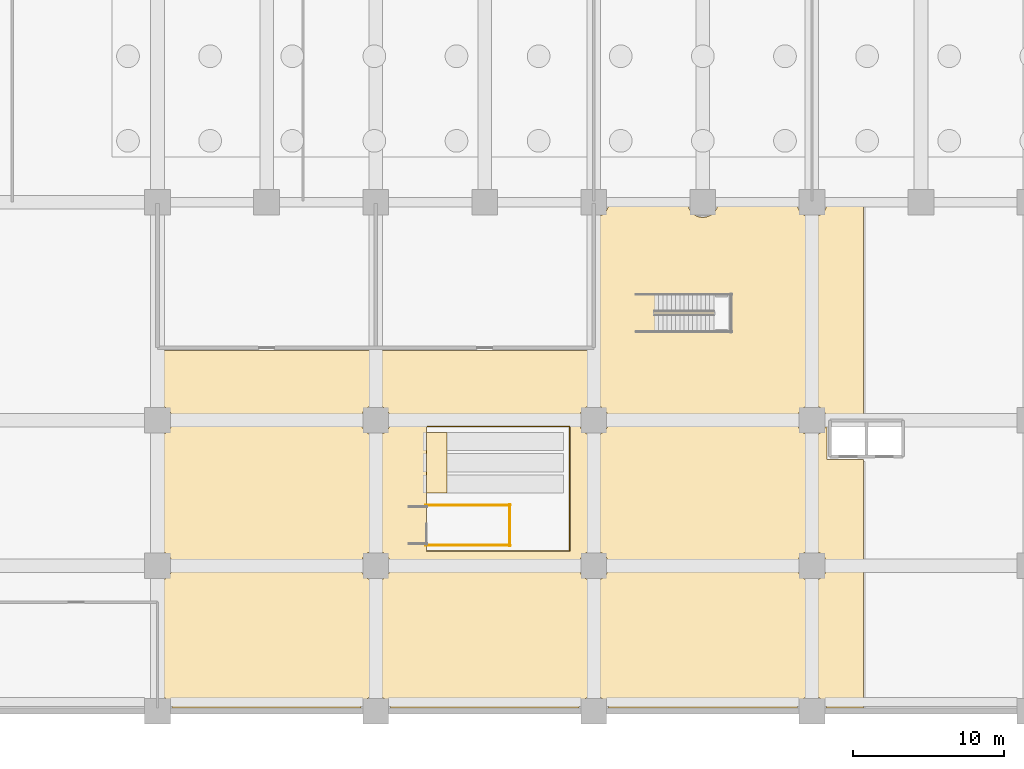
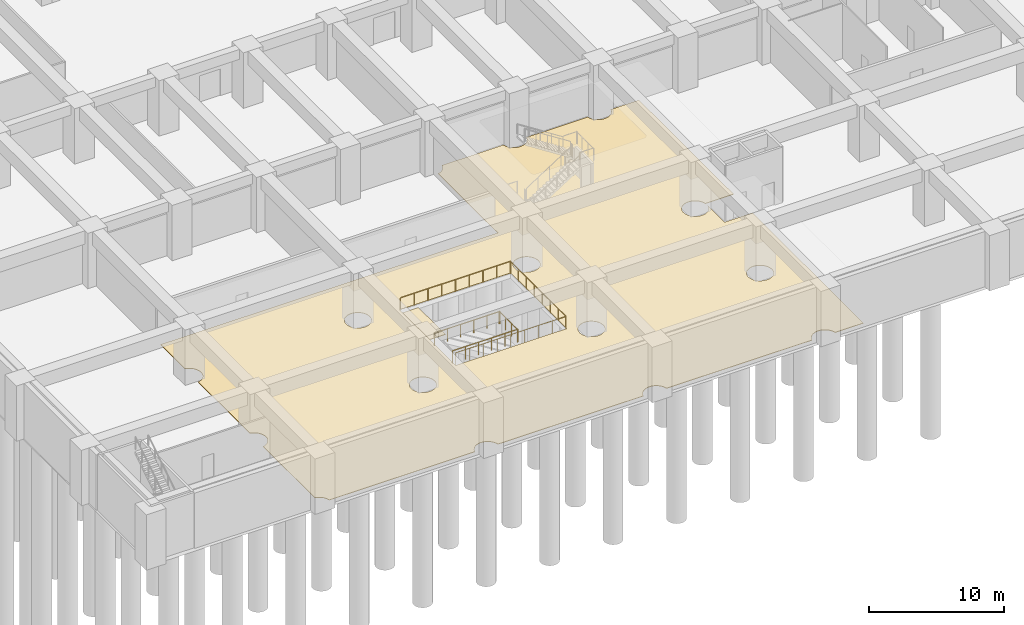
# One storey, part 12 of 20: 4 railings, 2 coverings.
"""IFC4 building model written with IfcOpenShell, lengths in metres."""

import ifcopenshell
import ifcopenshell.guid

model = None  # the IFC model being written
_history = None  # IfcOwnerHistory: only IFC2X3 demands one
_inside = {}  # id of a spatial element -> (the spatial element, [elements in it])
_under = {}  # id of a project, library or spatial element -> (it, [spatial elements below it])
_declared = {}  # id of a project -> (the project, [libraries it declares])
_typed = {}  # id of a type object -> (the type object, [elements of that type])
_made_of = {}  # id of a material, layer set ... -> (it, [elements and type objects made of it])


def new_model(schema):
    """Start an empty IFC model of exactly this schema.

    Asked for "IFC4X3", IfcOpenShell would pick the latest addendum, in which some entities
    have other attributes; the version numbers below select the first issue.
    IFC2X3 requires an IfcOwnerHistory on every rooted entity: one is made here for all.
    """
    global model, _history
    if schema == "IFC4X3":
        model = ifcopenshell.file(schema_version=(4, 3, 0, 0))
    else:
        model = ifcopenshell.file(schema=schema)
    _inside.clear()
    _under.clear()
    _declared.clear()
    _typed.clear()
    _made_of.clear()
    _history = None
    if model.schema == "IFC2X3":
        org = make("IfcOrganization", Name="unknown")
        user = make(
            "IfcPersonAndOrganization",
            ThePerson=make("IfcPerson", FamilyName="unknown"),
            TheOrganization=org,
        )
        app = make(
            "IfcApplication",
            ApplicationDeveloper=org,
            Version="unknown",
            ApplicationFullName="unknown",
            ApplicationIdentifier="unknown",
        )
        _history = make(
            "IfcOwnerHistory",
            OwningUser=user,
            OwningApplication=app,
            ChangeAction="ADDED",
            CreationDate=0,
        )
    return model


def make(cls, **values):
    """One entity of the class cls with the attributes given. An attribute that is None is left unset."""
    return model.create_entity(
        cls, **{name: value for name, value in values.items() if value is not None}
    )


def rooted(cls, **values):
    """An entity with a GlobalId (a new one), such as an element, a storey or a relation."""
    return make(cls, GlobalId=ifcopenshell.guid.new(), OwnerHistory=_history, **values)


def si_unit(unit_type, name, prefix=None):
    """IfcSIUnit, for example si_unit("LENGTHUNIT", "METRE", prefix="MILLI")."""
    return make("IfcSIUnit", UnitType=unit_type, Prefix=prefix, Name=name)


def assignment(units):
    """IfcUnitAssignment: the units of a project."""
    return None if units is None else make("IfcUnitAssignment", Units=units)


def point(xyz):
    """IfcCartesianPoint."""
    return None if xyz is None else make("IfcCartesianPoint", Coordinates=xyz)


def direction(xyz):
    """IfcDirection."""
    return None if xyz is None else make("IfcDirection", DirectionRatios=xyz)


def frame(location, z_axis=None, x_axis=None):
    """IfcAxis2Placement3D, a coordinate frame: its origin and axes. An axis left out is left unset."""
    return make(
        "IfcAxis2Placement3D",
        Location=point(location),
        Axis=direction(z_axis),
        RefDirection=direction(x_axis),
    )


def frame_2d(location, x_axis=None):
    """IfcAxis2Placement2D, a coordinate frame in the plane: its origin and x axis."""
    return make(
        "IfcAxis2Placement2D", Location=point(location), RefDirection=direction(x_axis)
    )


def origin():
    """The frame at (0, 0, 0) with its axes left unset."""
    return frame((0.0, 0.0, 0.0))


def origin_2d():
    """The frame at (0, 0) in the plane with its x axis left unset."""
    return frame_2d((0.0, 0.0))


def place(relative_to, where):
    """IfcLocalPlacement: puts the frame where relative to a parent placement (None: the world)."""
    return make(
        "IfcLocalPlacement", PlacementRelTo=relative_to, RelativePlacement=where
    )


def context(
    kind, dimensions, precision=None, world=None, true_north=None, identifier=None
):
    """IfcGeometricRepresentationContext, for example the 3D "Model" context."""
    return make(
        "IfcGeometricRepresentationContext",
        ContextIdentifier=identifier,
        ContextType=kind,
        CoordinateSpaceDimension=dimensions,
        Precision=precision,
        WorldCoordinateSystem=world,
        TrueNorth=true_north,
    )


def subcontext(parent, identifier, kind, view, scale=None):
    """IfcGeometricRepresentationSubContext, for example "Body" below "Model"."""
    return make(
        "IfcGeometricRepresentationSubContext",
        ContextIdentifier=identifier,
        ContextType=kind,
        ParentContext=parent,
        TargetScale=scale,
        TargetView=view,
    )


def project(units=None, contexts=None):
    """IfcProject with its units and contexts."""
    return rooted(
        "IfcProject",
        Name="project",
        RepresentationContexts=contexts,
        UnitsInContext=assignment(units),
    )


def spatial(cls, under=None, at=None, **own):
    """A site, building, storey or space (cls), placed at a placement, below another one or the project."""
    s = rooted(cls, ObjectPlacement=at, **own)
    if under is not None:
        _under.setdefault(under.id(), (under, []))[1].append(s)
    return s


def polyline(points):
    """IfcPolyline through the points."""
    return make("IfcPolyline", Points=[point(p) for p in points])


def profile(cls, at=None, kind="AREA", **sizes):
    """A parametric profile (cls). Its sizes go by their IFC names, for example OverallWidth=200.0."""
    return make(cls, ProfileType=kind, Position=at, **sizes)


def circle(**sizes):
    """IfcCircleProfileDef."""
    return profile("IfcCircleProfileDef", **sizes)


def outline(outer, holes=None, kind="AREA"):
    """IfcArbitraryClosedProfileDef: a profile drawn as a closed curve; with holes, ...WithVoids."""
    if holes is None:
        return make("IfcArbitraryClosedProfileDef", ProfileType=kind, OuterCurve=outer)
    return make(
        "IfcArbitraryProfileDefWithVoids",
        ProfileType=kind,
        OuterCurve=outer,
        InnerCurves=holes,
    )


def extrude(swept, where, along, depth):
    """IfcExtrudedAreaSolid: the profile swept, set in the frame where, extruded along a direction by depth."""
    return make(
        "IfcExtrudedAreaSolid",
        SweptArea=swept,
        Position=where,
        ExtrudedDirection=direction(along),
        Depth=depth,
    )


def shape(context_of_items, identifier, shape_type, items):
    """IfcShapeRepresentation: the items that make up one representation, for example the "Body"."""
    return make(
        "IfcShapeRepresentation",
        ContextOfItems=context_of_items,
        RepresentationIdentifier=identifier,
        RepresentationType=shape_type,
        Items=items,
    )


def material(Name=None, Category=None):
    """IfcMaterial."""
    return make("IfcMaterial", Name=Name, Category=Category)


def layer(
    of_material, thickness, ventilated=None, Name=None, Category=None, Priority=None
):
    """IfcMaterialLayer: one layer of a wall or slab, of a material (None: an air gap)."""
    return make(
        "IfcMaterialLayer",
        Material=of_material,
        LayerThickness=thickness,
        IsVentilated=ventilated,
        Name=Name,
        Category=Category,
        Priority=Priority,
    )


def layer_set(layers, Name=None):
    """IfcMaterialLayerSet."""
    return make("IfcMaterialLayerSet", MaterialLayers=layers, LayerSetName=Name)


def made_of(thing, what):
    """Note that an element or type object is made of a material, layer set ...; save() writes the relation."""
    if what is not None:
        _made_of.setdefault(what.id(), (what, []))[1].append(thing)
    return thing


def type_object(cls, material=None, **own):
    """A type object (cls), such as IfcWallType, which elements share."""
    return made_of(rooted(cls, **own), material)


def element(
    cls,
    number,
    at=None,
    inside=None,
    cuts=None,
    type_object=None,
    material=None,
    context=None,
    identifier="Body",
    shape_type=None,
    held_by="IfcProductDefinitionShape",
    body=None,
    shapes=None,
    **own,
):
    """One element of the class cls, such as IfcWall. Its Tag is "e" and its number.

    at: its placement. inside: the storey or other place that contains it. cuts: it is an
    opening in that element (IfcRelVoidsElement). A single representation is given by context,
    identifier, shape_type and body (its items); several are given by shapes. held_by: the class
    of the entity that holds the representations. save() writes the other relations.
    """
    e = rooted(cls, Tag="e%d" % number, ObjectPlacement=at, **own)
    if body is not None:
        shapes = [shape(context, identifier, shape_type, body)]
    if shapes is not None:
        e.Representation = make(held_by, Representations=shapes)
    if inside is not None:
        _inside.setdefault(inside.id(), (inside, []))[1].append(e)
    if cuts is not None:
        rooted(
            "IfcRelVoidsElement", RelatingBuildingElement=cuts, RelatedOpeningElement=e
        )
    if type_object is not None:
        _typed.setdefault(type_object.id(), (type_object, []))[1].append(e)
    return made_of(e, material)


def aggregate(whole, parts):
    """IfcRelAggregates: a whole, such as a stair, and the parts it consists of."""
    return rooted("IfcRelAggregates", RelatingObject=whole, RelatedObjects=parts)


def save(model, path):
    """Write the relations noted so far, then the file.

    IfcRelAggregates (storeys below a building ...), IfcRelContainedInSpatialStructure (elements
    in a storey), IfcRelDefinesByType, IfcRelAssociatesMaterial and IfcRelDeclares: one each for
    every whole, place, type object, material and project.
    """
    for whole, parts in _under.values():
        aggregate(whole, parts)
    for where, things in _inside.values():
        rooted(
            "IfcRelContainedInSpatialStructure",
            RelatedElements=things,
            RelatingStructure=where,
        )
    for kind, things in _typed.values():
        rooted("IfcRelDefinesByType", RelatedObjects=things, RelatingType=kind)
    for what, things in _made_of.values():
        rooted("IfcRelAssociatesMaterial", RelatedObjects=things, RelatingMaterial=what)
    for by, libraries in _declared.values():
        rooted("IfcRelDeclares", RelatingContext=by, RelatedDefinitions=libraries)
    model.write(path)


model = new_model("IFC4")

# Units and contexts
model_context = context("Model", 3, precision=1e-05, world=origin(), true_north=direction((0.0, 1.0)))
body_context = subcontext(model_context, "Body", "Model", "MODEL_VIEW")
ifc_project = project(units=[si_unit("LENGTHUNIT", "METRE"), si_unit("AREAUNIT", "SQUARE_METRE"), si_unit("VOLUMEUNIT", "CUBIC_METRE"), si_unit("PLANEANGLEUNIT", "RADIAN"), si_unit("MASSUNIT", "GRAM", prefix="KILO")], contexts=[model_context])

# Site, building, storey
site_placement = place(None, origin())
site = spatial("IfcSite", under=ifc_project, at=site_placement, CompositionType="ELEMENT")
building_placement = place(site_placement, origin())
building = spatial("IfcBuilding", under=site, at=building_placement, Name="Saffron Iwan Residences", CompositionType="ELEMENT")
storey_placement = place(building_placement, frame((0.0, 0.0, -5.39990234375)))
storey = spatial("IfcBuildingStorey", under=building, at=storey_placement, Name="B1", CompositionType="ELEMENT", Elevation=-5.39990234375)

# Railings
ifc_material_1 = material(Name="Steel S355", Category="steel")
railing_type_1 = type_object("IfcRailingType", Name="Podium guard 1150", PredefinedType="GUARDRAIL", material=ifc_material_1)
railing_1_placement = place(storey_placement, frame((32.199951171875, 10.60009765625, 0.0)))
element("IfcRailing", 1, at=railing_1_placement, inside=storey, type_object=railing_type_1, Name="B1 guard 1", PredefinedType="GUARDRAIL", context=body_context, shape_type="SweptSolid", body=[
    extrude(circle(Radius=0.02392578125, at=origin_2d()), frame((0.0, 0.0, 1.1259765625), z_axis=(1.0, 0.0, 0.0), x_axis=(0.0, 1.0, 0.0)), (0.0, 0.0, 1.0), 9.400146484375),
    extrude(circle(Radius=0.02392578125, at=origin_2d()), frame((9.400146484375, 0.0, 1.1259765625), z_axis=(0.0, 1.0, 0.0), x_axis=(-1.0, 0.0, 0.0)), (0.0, 0.0, 1.0), 8.199951171875),
    extrude(circle(Radius=0.02392578125, at=origin_2d()), frame((9.400146484375, 8.199951171875, 1.1259765625), z_axis=(-1.0, 0.0, 0.0), x_axis=(0.0, -1.0, 0.0)), (0.0, 0.0, 1.0), 9.400146484375),
    extrude(circle(Radius=0.02099609375, at=origin_2d()), origin(), (0.0, 0.0, 1.0), 1.101806640625),
    extrude(circle(Radius=0.02099609375, at=origin_2d()), frame((1.175048828125, 0.0, 0.0)), (0.0, 0.0, 1.0), 1.101806640625),
    extrude(circle(Radius=0.02099609375, at=origin_2d()), frame((2.35009765625, 0.0, 0.0)), (0.0, 0.0, 1.0), 1.101806640625),
    extrude(circle(Radius=0.02099609375, at=origin_2d()), frame((3.525146484375, 0.0, 0.0)), (0.0, 0.0, 1.0), 1.101806640625),
    extrude(circle(Radius=0.02099609375, at=origin_2d()), frame((4.7001953125, 0.0, 0.0)), (0.0, 0.0, 1.0), 1.101806640625),
    extrude(circle(Radius=0.02099609375, at=origin_2d()), frame((5.875, 0.0, 0.0)), (0.0, 0.0, 1.0), 1.101806640625),
    extrude(circle(Radius=0.02099609375, at=origin_2d()), frame((7.050048828125, 0.0, 0.0)), (0.0, 0.0, 1.0), 1.101806640625),
    extrude(circle(Radius=0.02099609375, at=origin_2d()), frame((8.22509765625, 0.0, 0.0)), (0.0, 0.0, 1.0), 1.101806640625),
    extrude(circle(Radius=0.02099609375, at=origin_2d()), frame((9.400146484375, 0.0, 0.0)), (0.0, 0.0, 1.0), 1.101806640625),
    extrude(circle(Radius=0.02099609375, at=origin_2d()), frame((9.400146484375, 1.17138671875, 0.0)), (0.0, 0.0, 1.0), 1.101806640625),
    extrude(circle(Radius=0.02099609375, at=origin_2d()), frame((9.400146484375, 2.3427734375, 0.0)), (0.0, 0.0, 1.0), 1.101806640625),
    extrude(circle(Radius=0.02099609375, at=origin_2d()), frame((9.400146484375, 3.51416015625, 0.0)), (0.0, 0.0, 1.0), 1.101806640625),
    extrude(circle(Radius=0.02099609375, at=origin_2d()), frame((9.400146484375, 4.685791015625, 0.0)), (0.0, 0.0, 1.0), 1.101806640625),
    extrude(circle(Radius=0.02099609375, at=origin_2d()), frame((9.400146484375, 5.857177734375, 0.0)), (0.0, 0.0, 1.0), 1.101806640625),
    extrude(circle(Radius=0.02099609375, at=origin_2d()), frame((9.400146484375, 7.028564453125, 0.0)), (0.0, 0.0, 1.0), 1.101806640625),
    extrude(circle(Radius=0.02099609375, at=origin_2d()), frame((9.400146484375, 8.199951171875, 0.0)), (0.0, 0.0, 1.0), 1.101806640625),
    extrude(circle(Radius=0.02099609375, at=origin_2d()), frame((8.22509765625, 8.199951171875, 0.0)), (0.0, 0.0, 1.0), 1.101806640625),
    extrude(circle(Radius=0.02099609375, at=origin_2d()), frame((7.050048828125, 8.199951171875, 0.0)), (0.0, 0.0, 1.0), 1.101806640625),
    extrude(circle(Radius=0.02099609375, at=origin_2d()), frame((5.875, 8.199951171875, 0.0)), (0.0, 0.0, 1.0), 1.101806640625),
    extrude(circle(Radius=0.02099609375, at=origin_2d()), frame((4.7001953125, 8.199951171875, 0.0)), (0.0, 0.0, 1.0), 1.101806640625),
    extrude(circle(Radius=0.02099609375, at=origin_2d()), frame((3.525146484375, 8.199951171875, 0.0)), (0.0, 0.0, 1.0), 1.101806640625),
    extrude(circle(Radius=0.02099609375, at=origin_2d()), frame((2.35009765625, 8.199951171875, 0.0)), (0.0, 0.0, 1.0), 1.101806640625),
    extrude(circle(Radius=0.02099609375, at=origin_2d()), frame((1.175048828125, 8.199951171875, 0.0)), (0.0, 0.0, 1.0), 1.101806640625),
    extrude(circle(Radius=0.02099609375, at=origin_2d()), frame((0.0, 8.199951171875, 0.0)), (0.0, 0.0, 1.0), 1.101806640625),
])
railing_type_2 = type_object("IfcRailingType", Name="Podium stair guard 1150", PredefinedType="GUARDRAIL", material=ifc_material_1)
for number, where, name in (
    (2, (32.10009765625, 10.949951171875, 0.0), "B1 SP2 top well guard 2"),
    (3, (32.10009765625, 13.60009765625, 0.0), "B1 SP2 top well guard 3"),
):
    element("IfcRailing", number, at=place(storey_placement, frame(where)), inside=storey, type_object=railing_type_2, Name=name, PredefinedType="GUARDRAIL", context=body_context, shape_type="SweptSolid", body=[
        extrude(circle(Radius=0.02392578125, at=origin_2d()), frame((0.0, 0.0, 1.1259765625), z_axis=(1.0, 0.0, 0.0), x_axis=(0.0, 1.0, 0.0)), (0.0, 0.0, 1.0), 5.599853515625),
        extrude(circle(Radius=0.02099609375, at=origin_2d()), origin(), (0.0, 0.0, 1.0), 1.101806640625),
        extrude(circle(Radius=0.02099609375, at=origin_2d()), frame((1.119873046875, 0.0, 0.0)), (0.0, 0.0, 1.0), 1.101806640625),
        extrude(circle(Radius=0.02099609375, at=origin_2d()), frame((2.239990234375, 0.0, 0.0)), (0.0, 0.0, 1.0), 1.101806640625),
        extrude(circle(Radius=0.02099609375, at=origin_2d()), frame((3.35986328125, 0.0, 0.0)), (0.0, 0.0, 1.0), 1.101806640625),
        extrude(circle(Radius=0.02099609375, at=origin_2d()), frame((4.47998046875, 0.0, 0.0)), (0.0, 0.0, 1.0), 1.101806640625),
        extrude(circle(Radius=0.02099609375, at=origin_2d()), frame((5.599853515625, 0.0, 0.0)), (0.0, 0.0, 1.0), 1.101806640625),
    ])
railing_2_placement = place(storey_placement, frame((37.64990234375, 10.89990234375, 0.0)))
element("IfcRailing", 4, at=railing_2_placement, inside=storey, type_object=railing_type_2, Name="B1 SP2 top well guard 4", PredefinedType="GUARDRAIL", context=body_context, shape_type="SweptSolid", body=[
    extrude(circle(Radius=0.02392578125, at=origin_2d()), frame((0.0, 0.0, 1.1259765625), z_axis=(0.0, 1.0, 0.0), x_axis=(-1.0, 0.0, 0.0)), (0.0, 0.0, 1.0), 2.75),
    extrude(circle(Radius=0.02099609375, at=origin_2d()), origin(), (0.0, 0.0, 1.0), 1.101806640625),
    extrude(circle(Radius=0.02099609375, at=origin_2d()), frame((0.0, 0.916748046875, 0.0)), (0.0, 0.0, 1.0), 1.101806640625),
    extrude(circle(Radius=0.02099609375, at=origin_2d()), frame((0.0, 1.833251953125, 0.0)), (0.0, 0.0, 1.0), 1.101806640625),
    extrude(circle(Radius=0.02099609375, at=origin_2d()), frame((0.0, 2.75, 0.0)), (0.0, 0.0, 1.0), 1.101806640625),
])

# Coverings
ifc_material_2 = material(Name="Terrazzo flooring")
ifc_layer = layer(ifc_material_2, 0.0400390625)
ifc_layer_set = layer_set([ifc_layer], Name="Terrazzo flooring")
covering_type = type_object("IfcCoveringType", Name="Terrazzo flooring 40", PredefinedType="FLOORING", material=ifc_layer_set)
covering_1_placement = place(storey_placement, origin())
element("IfcCovering", 5, at=covering_1_placement, inside=storey, type_object=covering_type, Name="Escalator landing flooring", PredefinedType="FLOORING", context=body_context, shape_type="SweptSolid", body=[
    extrude(outline(polyline([(33.5, 14.39990234375), (33.5, 18.39990234375), (32.14990234375, 18.39990234375), (32.14990234375, 14.39990234375), (33.5, 14.39990234375)])), origin(), (0.0, 0.0, 1.0), 0.039794921875),
])
covering_2_placement = place(storey_placement, origin())
element("IfcCovering", 6, at=covering_2_placement, inside=storey, type_object=covering_type, Name="Gate line mezzanine flooring", PredefinedType="FLOORING", context=body_context, shape_type="SweptSolid", body=[
    extrude(outline(polyline([(14.68994140625, 8.64306640625), (14.782958984375, 8.676025390625), (14.87109375, 8.718017578125), (14.9560546875, 8.76904296875), (15.033935546875, 8.826904296875), (15.10693359375, 8.89306640625), (15.173095703125, 8.966064453125), (15.23095703125, 9.0439453125), (15.281982421875, 9.12890625), (15.323974609375, 9.217041015625), (15.35693359375, 9.31005859375), (15.381103515625, 9.405029296875), (15.39501953125, 9.501953125), (15.39990234375, 9.60009765625), (15.39501953125, 9.697998046875), (15.381103515625, 9.794921875), (15.35693359375, 9.889892578125), (15.323974609375, 9.98291015625), (15.281982421875, 10.071044921875), (15.23095703125, 10.156005859375), (15.173095703125, 10.23388671875), (15.10693359375, 10.306884765625), (15.033935546875, 10.373046875), (14.9560546875, 10.430908203125), (14.87109375, 10.48193359375), (14.782958984375, 10.52392578125), (14.68994140625, 10.556884765625), (14.60009765625, 10.580078125), (14.60009765625, 18.219970703125), (14.68994140625, 18.242919921875), (14.782958984375, 18.27587890625), (14.87109375, 18.318115234375), (14.9560546875, 18.368896484375), (15.033935546875, 18.427001953125), (15.10693359375, 18.492919921875), (15.173095703125, 18.56591796875), (15.23095703125, 18.64404296875), (15.281982421875, 18.72900390625), (15.323974609375, 18.81689453125), (15.35693359375, 18.909912109375), (15.381103515625, 19.0048828125), (15.39501953125, 19.10205078125), (15.39990234375, 19.199951171875), (15.39501953125, 19.298095703125), (15.381103515625, 19.39501953125), (15.35693359375, 19.489990234375), (15.323974609375, 19.5830078125), (15.281982421875, 19.6708984375), (15.23095703125, 19.756103515625), (15.173095703125, 19.833984375), (15.10693359375, 19.906982421875), (15.033935546875, 19.972900390625), (14.9560546875, 20.031005859375), (14.87109375, 20.08203125), (14.782958984375, 20.1240234375), (14.68994140625, 20.156982421875), (14.60009765625, 20.179931640625), (14.60009765625, 23.800048828125), (43.39990234375, 23.800048828125), (43.39990234375, 32.6201171875), (43.489990234375, 32.64306640625), (43.5830078125, 32.676025390625), (43.6708984375, 32.718017578125), (43.756103515625, 32.76904296875), (43.833984375, 32.826904296875), (43.906982421875, 32.89306640625), (43.972900390625, 32.966064453125), (44.031005859375, 33.0439453125), (44.08203125, 33.12890625), (44.1240234375, 33.217041015625), (44.156982421875, 33.31005859375), (44.179931640625, 33.39990234375), (49.419921875, 33.39990234375), (49.443115234375, 33.31005859375), (49.47607421875, 33.217041015625), (49.51806640625, 33.12890625), (49.569091796875, 33.0439453125), (49.626953125, 32.966064453125), (49.693115234375, 32.89306640625), (49.76611328125, 32.826904296875), (49.843994140625, 32.76904296875), (49.928955078125, 32.718017578125), (50.01708984375, 32.676025390625), (50.110107421875, 32.64306640625), (50.205078125, 32.618896484375), (50.302001953125, 32.60498046875), (50.39990234375, 32.60009765625), (50.498046875, 32.60498046875), (50.594970703125, 32.618896484375), (50.68994140625, 32.64306640625), (50.782958984375, 32.676025390625), (50.87109375, 32.718017578125), (50.9560546875, 32.76904296875), (51.033935546875, 32.826904296875), (51.10693359375, 32.89306640625), (51.173095703125, 32.966064453125), (51.23095703125, 33.0439453125), (51.281982421875, 33.12890625), (51.323974609375, 33.217041015625), (51.35693359375, 33.31005859375), (51.3798828125, 33.39990234375), (56.6201171875, 33.39990234375), (56.64306640625, 33.31005859375), (56.676025390625, 33.217041015625), (56.718017578125, 33.12890625), (56.76904296875, 33.0439453125), (56.826904296875, 32.966064453125), (56.89306640625, 32.89306640625), (56.966064453125, 32.826904296875), (57.0439453125, 32.76904296875), (57.12890625, 32.718017578125), (57.217041015625, 32.676025390625), (57.31005859375, 32.64306640625), (57.405029296875, 32.618896484375), (57.501953125, 32.60498046875), (57.60009765625, 32.60009765625), (57.697998046875, 32.60498046875), (57.794921875, 32.618896484375), (57.889892578125, 32.64306640625), (57.98291015625, 32.676025390625), (58.071044921875, 32.718017578125), (58.156005859375, 32.76904296875), (58.23388671875, 32.826904296875), (58.306884765625, 32.89306640625), (58.373046875, 32.966064453125), (58.430908203125, 33.0439453125), (58.48193359375, 33.12890625), (58.52392578125, 33.217041015625), (58.556884765625, 33.31005859375), (58.580078125, 33.39990234375), (61.0, 33.39990234375), (61.0, 19.39990234375), (58.60009765625, 19.39990234375), (58.60009765625, 19.300048828125), (58.594970703125, 19.300048828125), (58.5810546875, 19.39501953125), (58.556884765625, 19.489990234375), (58.52392578125, 19.5830078125), (58.48193359375, 19.6708984375), (58.430908203125, 19.756103515625), (58.373046875, 19.833984375), (58.306884765625, 19.906982421875), (58.23388671875, 19.972900390625), (58.156005859375, 20.031005859375), (58.071044921875, 20.08203125), (57.98291015625, 20.1240234375), (57.889892578125, 20.156982421875), (57.794921875, 20.180908203125), (57.697998046875, 20.195068359375), (57.60009765625, 20.199951171875), (57.501953125, 20.195068359375), (57.405029296875, 20.180908203125), (57.31005859375, 20.156982421875), (57.217041015625, 20.1240234375), (57.12890625, 20.08203125), (57.0439453125, 20.031005859375), (56.966064453125, 19.972900390625), (56.89306640625, 19.906982421875), (56.826904296875, 19.833984375), (56.76904296875, 19.756103515625), (56.718017578125, 19.6708984375), (56.676025390625, 19.5830078125), (56.64306640625, 19.489990234375), (56.618896484375, 19.39501953125), (56.60498046875, 19.298095703125), (56.60009765625, 19.199951171875), (56.60498046875, 19.10205078125), (56.618896484375, 19.0048828125), (56.64306640625, 18.909912109375), (56.676025390625, 18.81689453125), (56.718017578125, 18.72900390625), (56.76904296875, 18.64404296875), (56.826904296875, 18.56591796875), (56.89306640625, 18.492919921875), (56.966064453125, 18.427001953125), (57.0439453125, 18.368896484375), (57.12890625, 18.318115234375), (57.217041015625, 18.27587890625), (57.31005859375, 18.242919921875), (57.405029296875, 18.218994140625), (57.501953125, 18.205078125), (57.60009765625, 18.199951171875), (57.697998046875, 18.205078125), (57.794921875, 18.218994140625), (57.889892578125, 18.242919921875), (57.98291015625, 18.27587890625), (58.071044921875, 18.318115234375), (58.156005859375, 18.368896484375), (58.23388671875, 18.427001953125), (58.306884765625, 18.492919921875), (58.373046875, 18.56591796875), (58.430908203125, 18.64404296875), (58.48193359375, 18.72900390625), (58.52392578125, 18.81689453125), (58.556884765625, 18.909912109375), (58.5810546875, 19.0048828125), (58.594970703125, 19.10009765625), (58.60009765625, 19.10009765625), (58.60009765625, 16.60009765625), (61.0, 16.60009765625), (61.0, 0.199951171875), (58.580078125, 0.199951171875), (58.556884765625, 0.2900390625), (58.52392578125, 0.383056640625), (58.48193359375, 0.470947265625), (58.430908203125, 0.555908203125), (58.373046875, 0.634033203125), (58.306884765625, 0.70703125), (58.23388671875, 0.77294921875), (58.156005859375, 0.8310546875), (58.071044921875, 0.882080078125), (57.98291015625, 0.924072265625), (57.889892578125, 0.95703125), (57.794921875, 0.98095703125), (57.697998046875, 0.9951171875), (57.60009765625, 1.0), (57.501953125, 0.9951171875), (57.405029296875, 0.98095703125), (57.31005859375, 0.95703125), (57.217041015625, 0.924072265625), (57.12890625, 0.882080078125), (57.0439453125, 0.8310546875), (56.966064453125, 0.77294921875), (56.89306640625, 0.70703125), (56.826904296875, 0.634033203125), (56.76904296875, 0.555908203125), (56.718017578125, 0.470947265625), (56.676025390625, 0.383056640625), (56.64306640625, 0.2900390625), (56.6201171875, 0.199951171875), (44.179931640625, 0.199951171875), (44.156982421875, 0.2900390625), (44.1240234375, 0.383056640625), (44.08203125, 0.470947265625), (44.031005859375, 0.555908203125), (43.972900390625, 0.634033203125), (43.906982421875, 0.70703125), (43.833984375, 0.77294921875), (43.756103515625, 0.8310546875), (43.6708984375, 0.882080078125), (43.5830078125, 0.924072265625), (43.489990234375, 0.95703125), (43.39501953125, 0.98095703125), (43.298095703125, 0.9951171875), (43.199951171875, 1.0), (43.10205078125, 0.9951171875), (43.0048828125, 0.98095703125), (42.909912109375, 0.95703125), (42.81689453125, 0.924072265625), (42.72900390625, 0.882080078125), (42.64404296875, 0.8310546875), (42.56591796875, 0.77294921875), (42.492919921875, 0.70703125), (42.427001953125, 0.634033203125), (42.368896484375, 0.555908203125), (42.318115234375, 0.470947265625), (42.27587890625, 0.383056640625), (42.242919921875, 0.2900390625), (42.219970703125, 0.199951171875), (29.780029296875, 0.199951171875), (29.757080078125, 0.2900390625), (29.72412109375, 0.383056640625), (29.681884765625, 0.470947265625), (29.631103515625, 0.555908203125), (29.572998046875, 0.634033203125), (29.507080078125, 0.70703125), (29.43408203125, 0.77294921875), (29.35595703125, 0.8310546875), (29.27099609375, 0.882080078125), (29.18310546875, 0.924072265625), (29.090087890625, 0.95703125), (28.9951171875, 0.98095703125), (28.89794921875, 0.9951171875), (28.800048828125, 1.0), (28.701904296875, 0.9951171875), (28.60498046875, 0.98095703125), (28.510009765625, 0.95703125), (28.4169921875, 0.924072265625), (28.3291015625, 0.882080078125), (28.243896484375, 0.8310546875), (28.166015625, 0.77294921875), (28.093017578125, 0.70703125), (28.027099609375, 0.634033203125), (27.968994140625, 0.555908203125), (27.91796875, 0.470947265625), (27.8759765625, 0.383056640625), (27.843017578125, 0.2900390625), (27.820068359375, 0.199951171875), (15.3798828125, 0.199951171875), (15.35693359375, 0.2900390625), (15.323974609375, 0.383056640625), (15.281982421875, 0.470947265625), (15.23095703125, 0.555908203125), (15.173095703125, 0.634033203125), (15.10693359375, 0.70703125), (15.033935546875, 0.77294921875), (14.9560546875, 0.8310546875), (14.87109375, 0.882080078125), (14.782958984375, 0.924072265625), (14.68994140625, 0.95703125), (14.60009765625, 0.97998046875), (14.60009765625, 8.6201171875), (14.68994140625, 8.64306640625)]), holes=[polyline([(58.52392578125, 9.217041015625), (58.556884765625, 9.31005859375), (58.5810546875, 9.405029296875), (58.594970703125, 9.501953125), (58.60009765625, 9.60009765625), (58.594970703125, 9.697998046875), (58.5810546875, 9.794921875), (58.556884765625, 9.889892578125), (58.52392578125, 9.98291015625), (58.48193359375, 10.071044921875), (58.430908203125, 10.156005859375), (58.373046875, 10.23388671875), (58.306884765625, 10.306884765625), (58.23388671875, 10.373046875), (58.156005859375, 10.430908203125), (58.071044921875, 10.48193359375), (57.98291015625, 10.52392578125), (57.889892578125, 10.556884765625), (57.794921875, 10.5810546875), (57.697998046875, 10.594970703125), (57.60009765625, 10.60009765625), (57.501953125, 10.594970703125), (57.405029296875, 10.5810546875), (57.31005859375, 10.556884765625), (57.217041015625, 10.52392578125), (57.12890625, 10.48193359375), (57.0439453125, 10.430908203125), (56.966064453125, 10.373046875), (56.89306640625, 10.306884765625), (56.826904296875, 10.23388671875), (56.76904296875, 10.156005859375), (56.718017578125, 10.071044921875), (56.676025390625, 9.98291015625), (56.64306640625, 9.889892578125), (56.618896484375, 9.794921875), (56.60498046875, 9.697998046875), (56.60009765625, 9.60009765625), (56.60498046875, 9.501953125), (56.618896484375, 9.405029296875), (56.64306640625, 9.31005859375), (56.676025390625, 9.217041015625), (56.718017578125, 9.12890625), (56.76904296875, 9.0439453125), (56.826904296875, 8.966064453125), (56.89306640625, 8.89306640625), (56.966064453125, 8.826904296875), (57.0439453125, 8.76904296875), (57.12890625, 8.718017578125), (57.217041015625, 8.676025390625), (57.31005859375, 8.64306640625), (57.405029296875, 8.618896484375), (57.501953125, 8.60498046875), (57.60009765625, 8.60009765625), (57.697998046875, 8.60498046875), (57.794921875, 8.618896484375), (57.889892578125, 8.64306640625), (57.98291015625, 8.676025390625), (58.071044921875, 8.718017578125), (58.156005859375, 8.76904296875), (58.23388671875, 8.826904296875), (58.306884765625, 8.89306640625), (58.373046875, 8.966064453125), (58.430908203125, 9.0439453125), (58.48193359375, 9.12890625), (58.52392578125, 9.217041015625)]), polyline([(44.1240234375, 9.217041015625), (44.156982421875, 9.31005859375), (44.180908203125, 9.405029296875), (44.195068359375, 9.501953125), (44.199951171875, 9.60009765625), (44.195068359375, 9.697998046875), (44.180908203125, 9.794921875), (44.156982421875, 9.889892578125), (44.1240234375, 9.98291015625), (44.08203125, 10.071044921875), (44.031005859375, 10.156005859375), (43.972900390625, 10.23388671875), (43.906982421875, 10.306884765625), (43.833984375, 10.373046875), (43.756103515625, 10.430908203125), (43.6708984375, 10.48193359375), (43.5830078125, 10.52392578125), (43.489990234375, 10.556884765625), (43.39501953125, 10.5810546875), (43.298095703125, 10.594970703125), (43.199951171875, 10.60009765625), (43.10205078125, 10.594970703125), (43.0048828125, 10.5810546875), (42.909912109375, 10.556884765625), (42.81689453125, 10.52392578125), (42.72900390625, 10.48193359375), (42.64404296875, 10.430908203125), (42.56591796875, 10.373046875), (42.492919921875, 10.306884765625), (42.427001953125, 10.23388671875), (42.368896484375, 10.156005859375), (42.318115234375, 10.071044921875), (42.27587890625, 9.98291015625), (42.242919921875, 9.889892578125), (42.218994140625, 9.794921875), (42.205078125, 9.697998046875), (42.199951171875, 9.60009765625), (42.205078125, 9.501953125), (42.218994140625, 9.405029296875), (42.242919921875, 9.31005859375), (42.27587890625, 9.217041015625), (42.318115234375, 9.12890625), (42.368896484375, 9.0439453125), (42.427001953125, 8.966064453125), (42.492919921875, 8.89306640625), (42.56591796875, 8.826904296875), (42.64404296875, 8.76904296875), (42.72900390625, 8.718017578125), (42.81689453125, 8.676025390625), (42.909912109375, 8.64306640625), (43.0048828125, 8.618896484375), (43.10205078125, 8.60498046875), (43.199951171875, 8.60009765625), (43.298095703125, 8.60498046875), (43.39501953125, 8.618896484375), (43.489990234375, 8.64306640625), (43.5830078125, 8.676025390625), (43.6708984375, 8.718017578125), (43.756103515625, 8.76904296875), (43.833984375, 8.826904296875), (43.906982421875, 8.89306640625), (43.972900390625, 8.966064453125), (44.031005859375, 9.0439453125), (44.08203125, 9.12890625), (44.1240234375, 9.217041015625)]), polyline([(44.1240234375, 18.81689453125), (44.156982421875, 18.909912109375), (44.180908203125, 19.0048828125), (44.195068359375, 19.10205078125), (44.199951171875, 19.199951171875), (44.195068359375, 19.298095703125), (44.180908203125, 19.39501953125), (44.156982421875, 19.489990234375), (44.1240234375, 19.5830078125), (44.08203125, 19.6708984375), (44.031005859375, 19.756103515625), (43.972900390625, 19.833984375), (43.906982421875, 19.906982421875), (43.833984375, 19.972900390625), (43.756103515625, 20.031005859375), (43.6708984375, 20.08203125), (43.5830078125, 20.1240234375), (43.489990234375, 20.156982421875), (43.39501953125, 20.180908203125), (43.298095703125, 20.195068359375), (43.199951171875, 20.199951171875), (43.10205078125, 20.195068359375), (43.0048828125, 20.180908203125), (42.909912109375, 20.156982421875), (42.81689453125, 20.1240234375), (42.72900390625, 20.08203125), (42.64404296875, 20.031005859375), (42.56591796875, 19.972900390625), (42.492919921875, 19.906982421875), (42.427001953125, 19.833984375), (42.368896484375, 19.756103515625), (42.318115234375, 19.6708984375), (42.27587890625, 19.5830078125), (42.242919921875, 19.489990234375), (42.218994140625, 19.39501953125), (42.205078125, 19.298095703125), (42.199951171875, 19.199951171875), (42.205078125, 19.10205078125), (42.218994140625, 19.0048828125), (42.242919921875, 18.909912109375), (42.27587890625, 18.81689453125), (42.318115234375, 18.72900390625), (42.368896484375, 18.64404296875), (42.427001953125, 18.56591796875), (42.492919921875, 18.492919921875), (42.56591796875, 18.427001953125), (42.64404296875, 18.368896484375), (42.72900390625, 18.318115234375), (42.81689453125, 18.27587890625), (42.909912109375, 18.242919921875), (43.0048828125, 18.218994140625), (43.10205078125, 18.205078125), (43.199951171875, 18.199951171875), (43.298095703125, 18.205078125), (43.39501953125, 18.218994140625), (43.489990234375, 18.242919921875), (43.5830078125, 18.27587890625), (43.6708984375, 18.318115234375), (43.756103515625, 18.368896484375), (43.833984375, 18.427001953125), (43.906982421875, 18.492919921875), (43.972900390625, 18.56591796875), (44.031005859375, 18.64404296875), (44.08203125, 18.72900390625), (44.1240234375, 18.81689453125)]), polyline([(32.14990234375, 10.60009765625), (32.15087890625, 10.594970703125), (32.15087890625, 10.590087890625), (32.153076171875, 10.5849609375), (32.154052734375, 10.5810546875), (32.156005859375, 10.575927734375), (32.158935546875, 10.572021484375), (32.162109375, 10.568115234375), (32.1650390625, 10.56494140625), (32.1689453125, 10.56103515625), (32.173095703125, 10.55810546875), (32.177001953125, 10.555908203125), (32.180908203125, 10.553955078125), (32.18603515625, 10.552001953125), (32.19091796875, 10.551025390625), (32.195068359375, 10.550048828125), (32.199951171875, 10.550048828125), (41.60009765625, 10.550048828125), (41.60498046875, 10.550048828125), (41.610107421875, 10.551025390625), (41.614990234375, 10.552001953125), (41.618896484375, 10.553955078125), (41.6240234375, 10.555908203125), (41.6279296875, 10.55810546875), (41.632080078125, 10.56103515625), (41.635009765625, 10.56494140625), (41.638916015625, 10.568115234375), (41.64208984375, 10.572021484375), (41.64404296875, 10.575927734375), (41.64599609375, 10.5810546875), (41.64794921875, 10.5849609375), (41.64892578125, 10.590087890625), (41.64990234375, 10.594970703125), (41.64990234375, 10.60009765625), (41.64990234375, 18.800048828125), (41.64990234375, 18.804931640625), (41.64892578125, 18.81005859375), (41.64794921875, 18.81494140625), (41.64599609375, 18.819091796875), (41.64404296875, 18.823974609375), (41.64208984375, 18.827880859375), (41.638916015625, 18.83203125), (41.635009765625, 18.8349609375), (41.632080078125, 18.839111328125), (41.6279296875, 18.842041015625), (41.6240234375, 18.843994140625), (41.618896484375, 18.845947265625), (41.614990234375, 18.847900390625), (41.610107421875, 18.84912109375), (41.60498046875, 18.85009765625), (41.60009765625, 18.85009765625), (32.199951171875, 18.85009765625), (32.195068359375, 18.85009765625), (32.19091796875, 18.84912109375), (32.18603515625, 18.847900390625), (32.180908203125, 18.845947265625), (32.177001953125, 18.843994140625), (32.173095703125, 18.842041015625), (32.1689453125, 18.839111328125), (32.1650390625, 18.8349609375), (32.162109375, 18.83203125), (32.158935546875, 18.827880859375), (32.156005859375, 18.823974609375), (32.154052734375, 18.819091796875), (32.153076171875, 18.81494140625), (32.15087890625, 18.81005859375), (32.15087890625, 18.804931640625), (32.14990234375, 18.800048828125), (32.14990234375, 10.60009765625)]), polyline([(29.72412109375, 9.217041015625), (29.757080078125, 9.31005859375), (29.781005859375, 9.405029296875), (29.794921875, 9.501953125), (29.800048828125, 9.60009765625), (29.794921875, 9.697998046875), (29.781005859375, 9.794921875), (29.757080078125, 9.889892578125), (29.72412109375, 9.98291015625), (29.681884765625, 10.071044921875), (29.631103515625, 10.156005859375), (29.572998046875, 10.23388671875), (29.507080078125, 10.306884765625), (29.43408203125, 10.373046875), (29.35595703125, 10.430908203125), (29.27099609375, 10.48193359375), (29.18310546875, 10.52392578125), (29.090087890625, 10.556884765625), (28.9951171875, 10.5810546875), (28.89794921875, 10.594970703125), (28.800048828125, 10.60009765625), (28.701904296875, 10.594970703125), (28.60498046875, 10.5810546875), (28.510009765625, 10.556884765625), (28.4169921875, 10.52392578125), (28.3291015625, 10.48193359375), (28.243896484375, 10.430908203125), (28.166015625, 10.373046875), (28.093017578125, 10.306884765625), (28.027099609375, 10.23388671875), (27.968994140625, 10.156005859375), (27.91796875, 10.071044921875), (27.8759765625, 9.98291015625), (27.843017578125, 9.889892578125), (27.819091796875, 9.794921875), (27.804931640625, 9.697998046875), (27.800048828125, 9.60009765625), (27.804931640625, 9.501953125), (27.819091796875, 9.405029296875), (27.843017578125, 9.31005859375), (27.8759765625, 9.217041015625), (27.91796875, 9.12890625), (27.968994140625, 9.0439453125), (28.027099609375, 8.966064453125), (28.093017578125, 8.89306640625), (28.166015625, 8.826904296875), (28.243896484375, 8.76904296875), (28.3291015625, 8.718017578125), (28.4169921875, 8.676025390625), (28.510009765625, 8.64306640625), (28.60498046875, 8.618896484375), (28.701904296875, 8.60498046875), (28.800048828125, 8.60009765625), (28.89794921875, 8.60498046875), (28.9951171875, 8.618896484375), (29.090087890625, 8.64306640625), (29.18310546875, 8.676025390625), (29.27099609375, 8.718017578125), (29.35595703125, 8.76904296875), (29.43408203125, 8.826904296875), (29.507080078125, 8.89306640625), (29.572998046875, 8.966064453125), (29.631103515625, 9.0439453125), (29.681884765625, 9.12890625), (29.72412109375, 9.217041015625)]), polyline([(29.72412109375, 18.81689453125), (29.757080078125, 18.909912109375), (29.781005859375, 19.0048828125), (29.794921875, 19.10205078125), (29.800048828125, 19.199951171875), (29.794921875, 19.298095703125), (29.781005859375, 19.39501953125), (29.757080078125, 19.489990234375), (29.72412109375, 19.5830078125), (29.681884765625, 19.6708984375), (29.631103515625, 19.756103515625), (29.572998046875, 19.833984375), (29.507080078125, 19.906982421875), (29.43408203125, 19.972900390625), (29.35595703125, 20.031005859375), (29.27099609375, 20.08203125), (29.18310546875, 20.1240234375), (29.090087890625, 20.156982421875), (28.9951171875, 20.180908203125), (28.89794921875, 20.195068359375), (28.800048828125, 20.199951171875), (28.701904296875, 20.195068359375), (28.60498046875, 20.180908203125), (28.510009765625, 20.156982421875), (28.4169921875, 20.1240234375), (28.3291015625, 20.08203125), (28.243896484375, 20.031005859375), (28.166015625, 19.972900390625), (28.093017578125, 19.906982421875), (28.027099609375, 19.833984375), (27.968994140625, 19.756103515625), (27.91796875, 19.6708984375), (27.8759765625, 19.5830078125), (27.843017578125, 19.489990234375), (27.819091796875, 19.39501953125), (27.804931640625, 19.298095703125), (27.800048828125, 19.199951171875), (27.804931640625, 19.10205078125), (27.819091796875, 19.0048828125), (27.843017578125, 18.909912109375), (27.8759765625, 18.81689453125), (27.91796875, 18.72900390625), (27.968994140625, 18.64404296875), (28.027099609375, 18.56591796875), (28.093017578125, 18.492919921875), (28.166015625, 18.427001953125), (28.243896484375, 18.368896484375), (28.3291015625, 18.318115234375), (28.4169921875, 18.27587890625), (28.510009765625, 18.242919921875), (28.60498046875, 18.218994140625), (28.701904296875, 18.205078125), (28.800048828125, 18.199951171875), (28.89794921875, 18.205078125), (28.9951171875, 18.218994140625), (29.090087890625, 18.242919921875), (29.18310546875, 18.27587890625), (29.27099609375, 18.318115234375), (29.35595703125, 18.368896484375), (29.43408203125, 18.427001953125), (29.507080078125, 18.492919921875), (29.572998046875, 18.56591796875), (29.631103515625, 18.64404296875), (29.681884765625, 18.72900390625), (29.72412109375, 18.81689453125)])]), origin(), (0.0, 0.0, 1.0), 0.039794921875),
])

save(model, "model.ifc")
